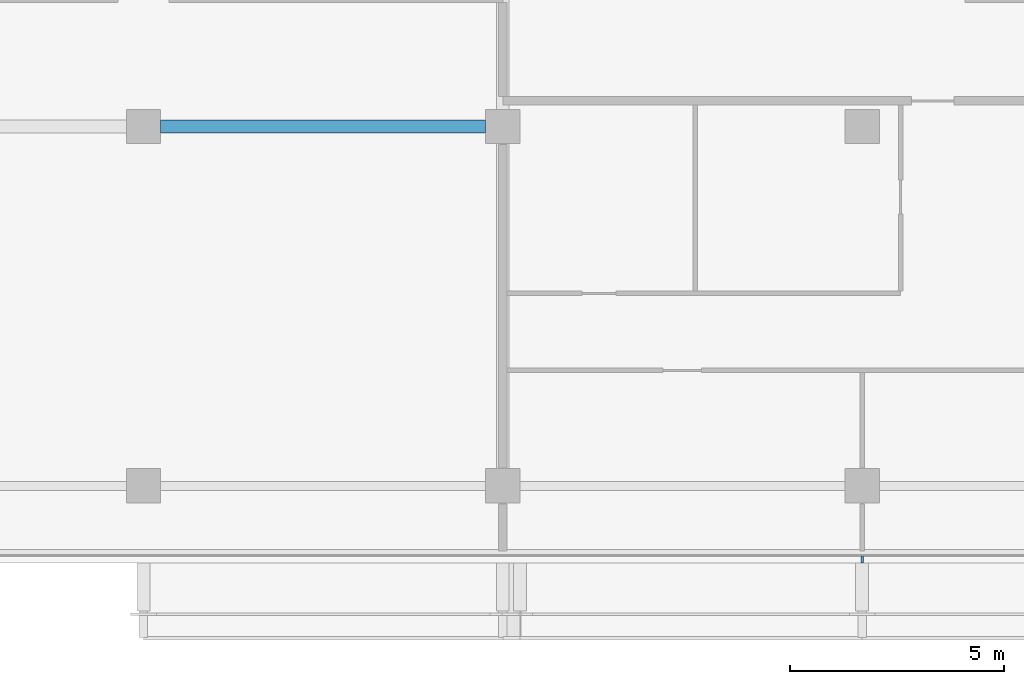
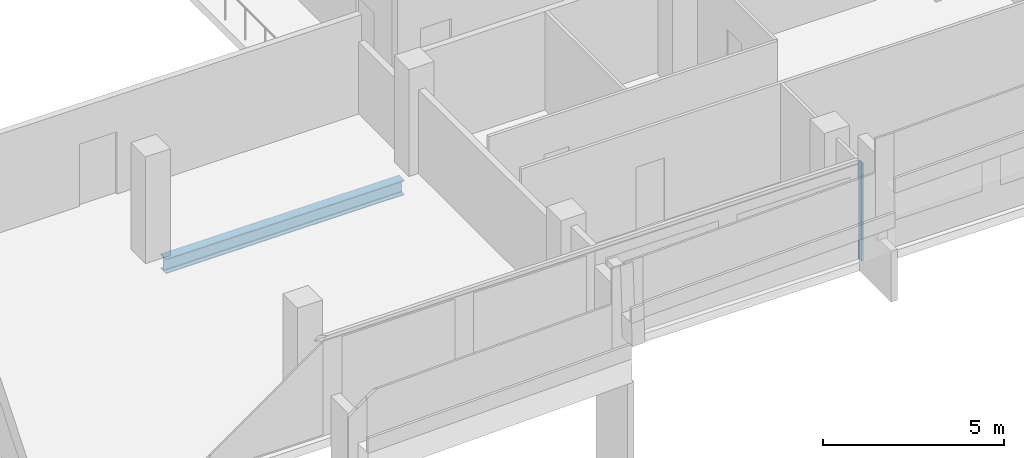
# One storey, part 6 of 26: 1 beam, 1 member, 1 element without a shape of its own.
"""IFC4 building model written with IfcOpenShell, lengths in metres."""

import ifcopenshell
import ifcopenshell.guid

model = None  # the IFC model being written
_history = None  # IfcOwnerHistory: only IFC2X3 demands one
_inside = {}  # id of a spatial element -> (the spatial element, [elements in it])
_under = {}  # id of a project, library or spatial element -> (it, [spatial elements below it])
_declared = {}  # id of a project -> (the project, [libraries it declares])
_typed = {}  # id of a type object -> (the type object, [elements of that type])
_made_of = {}  # id of a material, layer set ... -> (it, [elements and type objects made of it])


def new_model(schema):
    """Start an empty IFC model of exactly this schema.

    Asked for "IFC4X3", IfcOpenShell would pick the latest addendum, in which some entities
    have other attributes; the version numbers below select the first issue.
    IFC2X3 requires an IfcOwnerHistory on every rooted entity: one is made here for all.
    """
    global model, _history
    if schema == "IFC4X3":
        model = ifcopenshell.file(schema_version=(4, 3, 0, 0))
    else:
        model = ifcopenshell.file(schema=schema)
    _inside.clear()
    _under.clear()
    _declared.clear()
    _typed.clear()
    _made_of.clear()
    _history = None
    if model.schema == "IFC2X3":
        org = make("IfcOrganization", Name="unknown")
        user = make(
            "IfcPersonAndOrganization",
            ThePerson=make("IfcPerson", FamilyName="unknown"),
            TheOrganization=org,
        )
        app = make(
            "IfcApplication",
            ApplicationDeveloper=org,
            Version="unknown",
            ApplicationFullName="unknown",
            ApplicationIdentifier="unknown",
        )
        _history = make(
            "IfcOwnerHistory",
            OwningUser=user,
            OwningApplication=app,
            ChangeAction="ADDED",
            CreationDate=0,
        )
    return model


def make(cls, **values):
    """One entity of the class cls with the attributes given. An attribute that is None is left unset."""
    return model.create_entity(
        cls, **{name: value for name, value in values.items() if value is not None}
    )


def rooted(cls, **values):
    """An entity with a GlobalId (a new one), such as an element, a storey or a relation."""
    return make(cls, GlobalId=ifcopenshell.guid.new(), OwnerHistory=_history, **values)


def si_unit(unit_type, name, prefix=None):
    """IfcSIUnit, for example si_unit("LENGTHUNIT", "METRE", prefix="MILLI")."""
    return make("IfcSIUnit", UnitType=unit_type, Prefix=prefix, Name=name)


def assignment(units):
    """IfcUnitAssignment: the units of a project."""
    return None if units is None else make("IfcUnitAssignment", Units=units)


def point(xyz):
    """IfcCartesianPoint."""
    return None if xyz is None else make("IfcCartesianPoint", Coordinates=xyz)


def direction(xyz):
    """IfcDirection."""
    return None if xyz is None else make("IfcDirection", DirectionRatios=xyz)


def frame(location, z_axis=None, x_axis=None):
    """IfcAxis2Placement3D, a coordinate frame: its origin and axes. An axis left out is left unset."""
    return make(
        "IfcAxis2Placement3D",
        Location=point(location),
        Axis=direction(z_axis),
        RefDirection=direction(x_axis),
    )


def frame_2d(location, x_axis=None):
    """IfcAxis2Placement2D, a coordinate frame in the plane: its origin and x axis."""
    return make(
        "IfcAxis2Placement2D", Location=point(location), RefDirection=direction(x_axis)
    )


def origin():
    """The frame at (0, 0, 0) with its axes left unset."""
    return frame((0.0, 0.0, 0.0))


def origin_2d():
    """The frame at (0, 0) in the plane with its x axis left unset."""
    return frame_2d((0.0, 0.0))


def place(relative_to, where):
    """IfcLocalPlacement: puts the frame where relative to a parent placement (None: the world)."""
    return make(
        "IfcLocalPlacement", PlacementRelTo=relative_to, RelativePlacement=where
    )


def context(
    kind, dimensions, precision=None, world=None, true_north=None, identifier=None
):
    """IfcGeometricRepresentationContext, for example the 3D "Model" context."""
    return make(
        "IfcGeometricRepresentationContext",
        ContextIdentifier=identifier,
        ContextType=kind,
        CoordinateSpaceDimension=dimensions,
        Precision=precision,
        WorldCoordinateSystem=world,
        TrueNorth=true_north,
    )


def subcontext(parent, identifier, kind, view, scale=None):
    """IfcGeometricRepresentationSubContext, for example "Body" below "Model"."""
    return make(
        "IfcGeometricRepresentationSubContext",
        ContextIdentifier=identifier,
        ContextType=kind,
        ParentContext=parent,
        TargetScale=scale,
        TargetView=view,
    )


def project(units=None, contexts=None):
    """IfcProject with its units and contexts."""
    return rooted(
        "IfcProject",
        Name="project",
        RepresentationContexts=contexts,
        UnitsInContext=assignment(units),
    )


def spatial(cls, under=None, at=None, **own):
    """A site, building, storey or space (cls), placed at a placement, below another one or the project."""
    s = rooted(cls, ObjectPlacement=at, **own)
    if under is not None:
        _under.setdefault(under.id(), (under, []))[1].append(s)
    return s


def profile(cls, at=None, kind="AREA", **sizes):
    """A parametric profile (cls). Its sizes go by their IFC names, for example OverallWidth=200.0."""
    return make(cls, ProfileType=kind, Position=at, **sizes)


def rectangle(**sizes):
    """IfcRectangleProfileDef."""
    return profile("IfcRectangleProfileDef", **sizes)


def i_section(**sizes):
    """IfcIShapeProfileDef."""
    return profile("IfcIShapeProfileDef", **sizes)


def extrude(swept, where, along, depth):
    """IfcExtrudedAreaSolid: the profile swept, set in the frame where, extruded along a direction by depth."""
    return make(
        "IfcExtrudedAreaSolid",
        SweptArea=swept,
        Position=where,
        ExtrudedDirection=direction(along),
        Depth=depth,
    )


def shape(context_of_items, identifier, shape_type, items):
    """IfcShapeRepresentation: the items that make up one representation, for example the "Body"."""
    return make(
        "IfcShapeRepresentation",
        ContextOfItems=context_of_items,
        RepresentationIdentifier=identifier,
        RepresentationType=shape_type,
        Items=items,
    )


def material(Name=None, Category=None):
    """IfcMaterial."""
    return make("IfcMaterial", Name=Name, Category=Category)


def material_profile(
    of_material, cross_section, Name=None, Category=None, Priority=None
):
    """IfcMaterialProfile: a cross section and its material."""
    return make(
        "IfcMaterialProfile",
        Name=Name,
        Material=of_material,
        Profile=cross_section,
        Priority=Priority,
        Category=Category,
    )


def profile_set(profiles, Name=None, composite=None):
    """IfcMaterialProfileSet."""
    return make(
        "IfcMaterialProfileSet",
        Name=Name,
        MaterialProfiles=profiles,
        CompositeProfile=composite,
    )


def made_of(thing, what):
    """Note that an element or type object is made of a material, layer set ...; save() writes the relation."""
    if what is not None:
        _made_of.setdefault(what.id(), (what, []))[1].append(thing)
    return thing


def type_object(cls, material=None, **own):
    """A type object (cls), such as IfcWallType, which elements share."""
    return made_of(rooted(cls, **own), material)


def element(
    cls,
    number,
    at=None,
    inside=None,
    cuts=None,
    type_object=None,
    material=None,
    context=None,
    identifier="Body",
    shape_type=None,
    held_by="IfcProductDefinitionShape",
    body=None,
    shapes=None,
    **own,
):
    """One element of the class cls, such as IfcWall. Its Tag is "e" and its number.

    at: its placement. inside: the storey or other place that contains it. cuts: it is an
    opening in that element (IfcRelVoidsElement). A single representation is given by context,
    identifier, shape_type and body (its items); several are given by shapes. held_by: the class
    of the entity that holds the representations. save() writes the other relations.
    """
    e = rooted(cls, Tag="e%d" % number, ObjectPlacement=at, **own)
    if body is not None:
        shapes = [shape(context, identifier, shape_type, body)]
    if shapes is not None:
        e.Representation = make(held_by, Representations=shapes)
    if inside is not None:
        _inside.setdefault(inside.id(), (inside, []))[1].append(e)
    if cuts is not None:
        rooted(
            "IfcRelVoidsElement", RelatingBuildingElement=cuts, RelatedOpeningElement=e
        )
    if type_object is not None:
        _typed.setdefault(type_object.id(), (type_object, []))[1].append(e)
    return made_of(e, material)


def aggregate(whole, parts):
    """IfcRelAggregates: a whole, such as a stair, and the parts it consists of."""
    return rooted("IfcRelAggregates", RelatingObject=whole, RelatedObjects=parts)


def save(model, path):
    """Write the relations noted so far, then the file.

    IfcRelAggregates (storeys below a building ...), IfcRelContainedInSpatialStructure (elements
    in a storey), IfcRelDefinesByType, IfcRelAssociatesMaterial and IfcRelDeclares: one each for
    every whole, place, type object, material and project.
    """
    for whole, parts in _under.values():
        aggregate(whole, parts)
    for where, things in _inside.values():
        rooted(
            "IfcRelContainedInSpatialStructure",
            RelatedElements=things,
            RelatingStructure=where,
        )
    for kind, things in _typed.values():
        rooted("IfcRelDefinesByType", RelatedObjects=things, RelatingType=kind)
    for what, things in _made_of.values():
        rooted("IfcRelAssociatesMaterial", RelatedObjects=things, RelatingMaterial=what)
    for by, libraries in _declared.values():
        rooted("IfcRelDeclares", RelatingContext=by, RelatedDefinitions=libraries)
    model.write(path)


model = new_model("IFC4")

# Units and contexts
model_context = context("Model", 3, precision=1e-05, world=origin(), true_north=direction((0.0, 1.0)))
body_context = subcontext(model_context, "Body", "Model", "MODEL_VIEW")
ifc_project = project(units=[si_unit("LENGTHUNIT", "METRE"), si_unit("AREAUNIT", "SQUARE_METRE"), si_unit("VOLUMEUNIT", "CUBIC_METRE"), si_unit("PLANEANGLEUNIT", "RADIAN"), si_unit("MASSUNIT", "GRAM", prefix="KILO")], contexts=[model_context])

# Site, building, storey
site_placement = place(None, origin())
site = spatial("IfcSite", under=ifc_project, at=site_placement, CompositionType="ELEMENT")
building_placement = place(site_placement, origin())
building = spatial("IfcBuilding", under=site, at=building_placement, Name="Saffron Gate Tower", CompositionType="ELEMENT")
storey_placement = place(building_placement, frame((0.0, 0.0, 102.449951171875)))
storey = spatial("IfcBuildingStorey", under=building, at=storey_placement, Name="L23", CompositionType="ELEMENT", Elevation=102.449951171875)

# Beam
ifc_material_1 = material(Name="Structural steel S355", Category="steel")
ifc_material_profile_1 = material_profile(ifc_material_1, i_section(OverallWidth=0.300048828125, OverallDepth=0.489990234375, WebThickness=0.011962890625, FlangeThickness=0.02294921875, FilletRadius=0.027099609375, at=origin_2d()))
ifc_profile_set_1 = profile_set([ifc_material_profile_1], Name="Structural steel S355")
beam_type = type_object("IfcBeamType", Name="B8 HEA 500", PredefinedType="BEAM", material=ifc_profile_set_1)
beam_placement = place(storey_placement, frame((92.199951171875, 40.199951171875, -0.52490234375), z_axis=(1.0, 0.0, 0.0), x_axis=(0.0, 1.0, 0.0)))
element("IfcBeam", 1, at=beam_placement, inside=storey, type_object=beam_type, Name="B8 FLOOR GIRDER", PredefinedType="BEAM", context=body_context, shape_type="SweptSolid", body=[
    extrude(i_section(OverallWidth=0.300048828125, OverallDepth=0.489990234375, WebThickness=0.011962890625, FlangeThickness=0.02294921875, FilletRadius=0.027099609375, at=origin_2d()), origin(), (0.0, 0.0, 1.0), 7.60009765625),
])

# Curtain wall, member
ifc_material_2 = material(Name="Aluminium, bronze anodised", Category="aluminium")
curtain_wall_type = type_object("IfcCurtainWallType", Name="CWS1 curtain wall front facade", PredefinedType="NOTDEFINED", material=ifc_material_2)
curtain_wall_placement = place(storey_placement, origin())
curtain_wall = element("IfcCurtainWall", 2, at=curtain_wall_placement, inside=storey, type_object=curtain_wall_type, Name="CWS1 run 1", PredefinedType="NOTDEFINED")
ifc_material_profile_2 = material_profile(ifc_material_2, rectangle(XDim=0.159912109375, YDim=0.06005859375, at=origin_2d()))
ifc_profile_set_2 = profile_set([ifc_material_profile_2], Name="Aluminium, bronze anodised")
member_type = type_object("IfcMemberType", Name="CWS1 mullion 60x160", PredefinedType="MULLION", material=ifc_profile_set_2)
member_placement = place(storey_placement, frame((108.60009765625, 30.080078125, 0.0), z_axis=(0.0, 0.0, 1.0), x_axis=(0.0, 1.0, 0.0)))
member = element("IfcMember", 3, at=member_placement, type_object=member_type, Name="CWS1 mullion 8", PredefinedType="MULLION", context=body_context, shape_type="SweptSolid", body=[
    extrude(rectangle(XDim=0.159912109375, YDim=0.06005859375, at=origin_2d()), origin(), (0.0, 0.0, 1.0), 3.320068359375),
])
aggregate(curtain_wall, [member])

save(model, "model.ifc")
